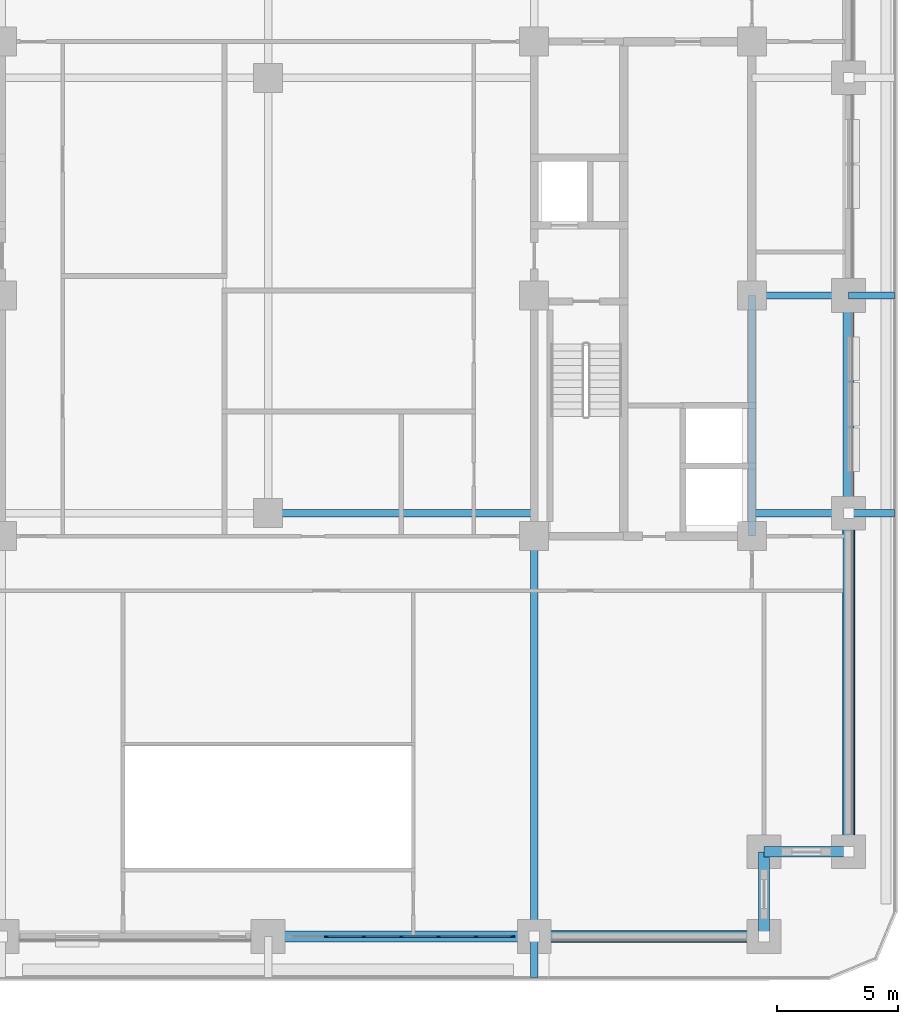
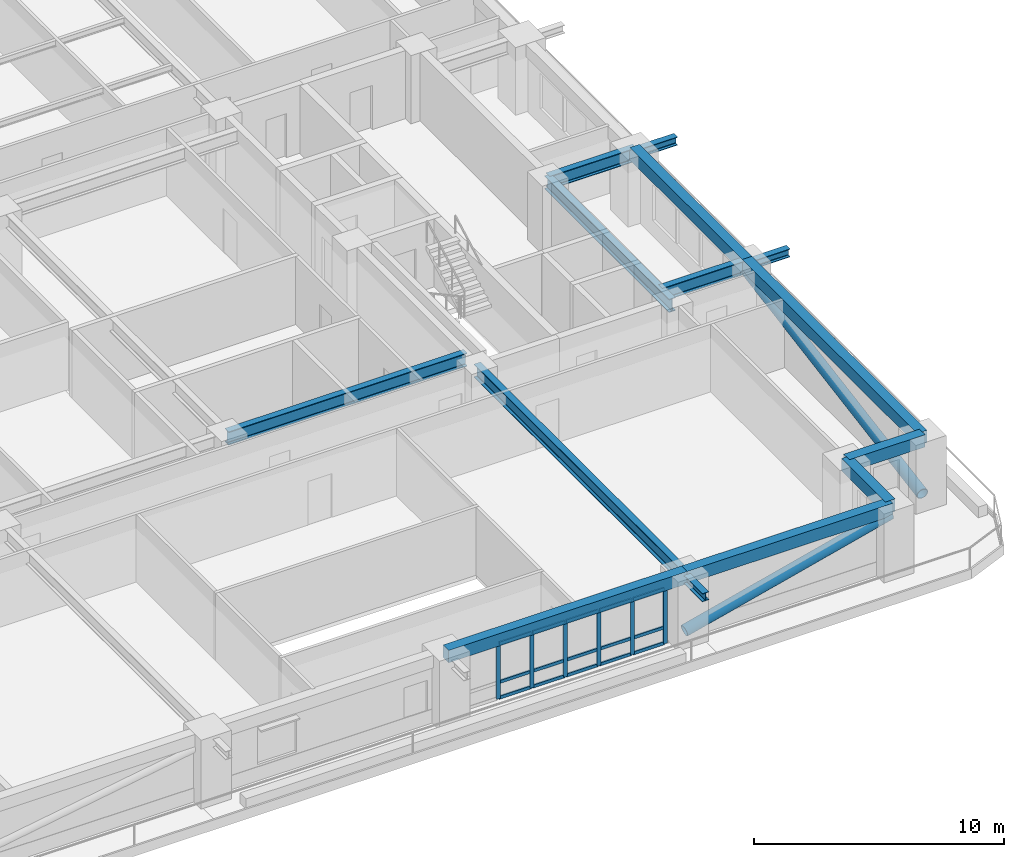
# One storey, part 4 of 20: 23 members, 14 beams, 1 element without a shape of its own.
"""IFC4 building model written with IfcOpenShell, lengths in metres."""

from ifc_helpers import new_model, si_unit, direction, frame, origin, origin_2d, place, context, subcontext, project, spatial, rectangle, hollow_circle, i_section, extrude, material, material_profile, profile_set, type_object, element, aggregate, save


model = new_model("IFC4")

# Units and contexts
model_context = context("Model", 3, precision=1e-05, world=origin(), true_north=direction((0.0, 1.0)))
body_context = subcontext(model_context, "Body", "Model", "MODEL_VIEW")
ifc_project = project(units=[si_unit("LENGTHUNIT", "METRE"), si_unit("AREAUNIT", "SQUARE_METRE"), si_unit("VOLUMEUNIT", "CUBIC_METRE"), si_unit("PLANEANGLEUNIT", "RADIAN"), si_unit("MASSUNIT", "GRAM", prefix="KILO")], contexts=[model_context])

# Site, building, storey
site_placement = place(None, origin())
site = spatial("IfcSite", under=ifc_project, at=site_placement, CompositionType="ELEMENT")
building_placement = place(site_placement, origin())
building = spatial("IfcBuilding", under=site, at=building_placement, Name="Zulmaris Gate Convention Tower", CompositionType="ELEMENT")
storey_placement = place(building_placement, frame((0.0, 0.0, 75.0400390625)))
storey = spatial("IfcBuildingStorey", under=building, at=storey_placement, Name="L18", CompositionType="ELEMENT", Elevation=75.0400390625)

# Beams
ifc_material_1 = material(Name="Steel S355", Category="steel")
ifc_material_profile_1 = material_profile(ifc_material_1, i_section(OverallWidth=0.300048828125, OverallDepth=0.39990234375, WebThickness=0.013427734375, FlangeThickness=0.02392578125, FilletRadius=0.027099609375, at=origin_2d()), Name="HEB 400")
ifc_profile_set_1 = profile_set([ifc_material_profile_1], Name="Steel S355")
beam_type_1 = type_object("IfcBeamType", Name="BM-HEB400", PredefinedType="BEAM", material=ifc_profile_set_1)
beam_1_placement = place(storey_placement, frame((11.0, -28.199951171875, 2.97998046875), z_axis=(0.0, 1.0, 0.0), x_axis=(-1.0, 0.0, 0.0)))
element("IfcBeam", 1, at=beam_1_placement, inside=storey, type_object=beam_type_1, Name="L18 Beam TBRK-L18-S-+11", PredefinedType="BEAM", context=body_context, shape_type="SweptSolid", body=[
    extrude(i_section(OverallWidth=0.300048828125, OverallDepth=0.39990234375, WebThickness=0.013427734375, FlangeThickness=0.02392578125, FilletRadius=0.027099609375, at=origin_2d()), origin(), (0.0, 0.0, 1.0), 1.699951171875),
])
for number, where, z_axis, x_axis, name in (
    (2, (24.0, -9.0, 2.97998046875), (1.0, 0.0, 0.0), (0.0, 1.0, 0.0), "L18 Beam TBRK-L18-E--9"),
    (3, (24.0, 0.0, 2.97998046875), (1.0, 0.0, 0.0), (0.0, 1.0, 0.0), "L18 Beam TBRK-L18-E-+0"),
):
    element("IfcBeam", number, at=place(storey_placement, frame(where, z_axis=z_axis, x_axis=x_axis)), inside=storey, type_object=beam_type_1, Name=name, PredefinedType="BEAM", context=body_context, shape_type="SweptSolid", body=[
        extrude(i_section(OverallWidth=0.300048828125, OverallDepth=0.39990234375, WebThickness=0.013427734375, FlangeThickness=0.02392578125, FilletRadius=0.027099609375, at=origin_2d()), origin(), (0.0, 0.0, 1.0), 1.89990234375),
    ])
ifc_material_profile_2 = material_profile(ifc_material_1, i_section(OverallWidth=0.300048828125, OverallDepth=0.64990234375, WebThickness=0.01611328125, FlangeThickness=0.031005859375, FilletRadius=0.027099609375, at=origin_2d()), Name="HEB 650")
ifc_profile_set_2 = profile_set([ifc_material_profile_2], Name="Steel S355")
beam_type_2 = type_object("IfcBeamType", Name="BM-HEB650", PredefinedType="BEAM", material=ifc_profile_set_2)
beam_2_placement = place(storey_placement, frame((0.0, -9.0, 2.992919921875), z_axis=(1.0, 0.0, 0.0), x_axis=(0.0, 1.0, 0.0)))
element("IfcBeam", 4, at=beam_2_placement, inside=storey, type_object=beam_type_2, Name="L18 Beam BM-L18-G02", PredefinedType="BEAM", context=body_context, shape_type="SweptSolid", body=[
    extrude(i_section(OverallWidth=0.300048828125, OverallDepth=0.64990234375, WebThickness=0.01611328125, FlangeThickness=0.031005859375, FilletRadius=0.027099609375, at=origin_2d()), origin(), (0.0, 0.0, 1.0), 11.0),
])
beam_3_placement = place(storey_placement, frame((11.0, -26.5, 2.992919921875), z_axis=(0.0, 1.0, 0.0), x_axis=(-1.0, 0.0, 0.0)))
element("IfcBeam", 5, at=beam_3_placement, inside=storey, type_object=beam_type_2, Name="L18 Beam BM-L18-G10", PredefinedType="BEAM", context=body_context, shape_type="SweptSolid", body=[
    extrude(i_section(OverallWidth=0.300048828125, OverallDepth=0.64990234375, WebThickness=0.01611328125, FlangeThickness=0.031005859375, FilletRadius=0.027099609375, at=origin_2d()), origin(), (0.0, 0.0, 1.0), 16.550048828125),
])
for number, where, z_axis, x_axis, name in (
    (6, (20.0, -9.0, 2.992919921875), (1.0, 0.0, 0.0), (0.0, 1.0, 0.0), "L18 Beam BM-L18-G19"),
    (7, (20.0, 0.0, 2.992919921875), (1.0, 0.0, 0.0), (0.0, 1.0, 0.0), "L18 Beam BM-L18-G20"),
):
    element("IfcBeam", number, at=place(storey_placement, frame(where, z_axis=z_axis, x_axis=x_axis)), inside=storey, type_object=beam_type_2, Name=name, PredefinedType="BEAM", context=body_context, shape_type="SweptSolid", body=[
        extrude(i_section(OverallWidth=0.300048828125, OverallDepth=0.64990234375, WebThickness=0.01611328125, FlangeThickness=0.031005859375, FilletRadius=0.027099609375, at=origin_2d()), origin(), (0.0, 0.0, 1.0), 4.0),
    ])
beam_4_placement = place(storey_placement, frame((20.0, -9.949951171875, 2.992919921875), z_axis=(0.0, 1.0, 0.0), x_axis=(-1.0, 0.0, 0.0)))
element("IfcBeam", 8, at=beam_4_placement, inside=storey, type_object=beam_type_2, Name="L18 Beam BM-L18-G28", PredefinedType="BEAM", context=body_context, shape_type="SweptSolid", body=[
    extrude(i_section(OverallWidth=0.300048828125, OverallDepth=0.64990234375, WebThickness=0.01611328125, FlangeThickness=0.031005859375, FilletRadius=0.027099609375, at=origin_2d()), origin(), (0.0, 0.0, 1.0), 9.949951171875),
])
ifc_material_2 = material(Name="Precast concrete C50/60", Category="concrete")
ifc_material_profile_3 = material_profile(ifc_material_2, rectangle(XDim=0.449951171875, YDim=0.60009765625, at=origin_2d()), Name="RC SPANDREL 450x600")
ifc_profile_set_3 = profile_set([ifc_material_profile_3], Name="Precast concrete C50/60")
beam_type_3 = type_object("IfcBeamType", Name="BM-SP450x600", PredefinedType="SPANDREL", material=ifc_profile_set_3)
beam_5_placement = place(storey_placement, frame((0.0, -26.5, 3.019775390625), z_axis=(1.0, 0.0, 0.0), x_axis=(0.0, 1.0, 0.0)))
element("IfcBeam", 9, at=beam_5_placement, inside=storey, type_object=beam_type_3, Name="L18 Spandrel SP-L18-03", PredefinedType="SPANDREL", context=body_context, shape_type="SweptSolid", body=[
    extrude(rectangle(XDim=0.449951171875, YDim=0.60009765625, at=origin_2d()), origin(), (0.0, 0.0, 1.0), 11.0),
])
beam_6_placement = place(storey_placement, frame((11.0, -26.5, 3.019775390625), z_axis=(1.0, 0.0, 0.0), x_axis=(0.0, 1.0, 0.0)))
element("IfcBeam", 10, at=beam_6_placement, inside=storey, type_object=beam_type_3, Name="L18 Spandrel SP-L18-04", PredefinedType="SPANDREL", context=body_context, shape_type="SweptSolid", body=[
    extrude(rectangle(XDim=0.449951171875, YDim=0.60009765625, at=origin_2d()), origin(), (0.0, 0.0, 1.0), 9.5),
])
for number, where, z_axis, x_axis, name in (
    (11, (20.5, -26.5, 3.019775390625), (0.0, 1.0, 0.0), (-1.0, 0.0, 0.0), "L18 Spandrel SP-L18-05"),
    (12, (20.5, -23.0, 3.019775390625), (1.0, 0.0, 0.0), (0.0, 1.0, 0.0), "L18 Spandrel SP-L18-06"),
):
    element("IfcBeam", number, at=place(storey_placement, frame(where, z_axis=z_axis, x_axis=x_axis)), inside=storey, type_object=beam_type_3, Name=name, PredefinedType="SPANDREL", context=body_context, shape_type="SweptSolid", body=[
        extrude(rectangle(XDim=0.449951171875, YDim=0.60009765625, at=origin_2d()), origin(), (0.0, 0.0, 1.0), 3.5),
    ])
beam_7_placement = place(storey_placement, frame((24.0, -23.0, 3.019775390625), z_axis=(0.0, 1.0, 0.0), x_axis=(-1.0, 0.0, 0.0)))
element("IfcBeam", 13, at=beam_7_placement, inside=storey, type_object=beam_type_3, Name="L18 Spandrel SP-L18-07", PredefinedType="SPANDREL", context=body_context, shape_type="SweptSolid", body=[
    extrude(rectangle(XDim=0.449951171875, YDim=0.60009765625, at=origin_2d()), origin(), (0.0, 0.0, 1.0), 14.0),
])
beam_8_placement = place(storey_placement, frame((24.0, -9.0, 3.019775390625), z_axis=(0.0, 1.0, 0.0), x_axis=(-1.0, 0.0, 0.0)))
element("IfcBeam", 14, at=beam_8_placement, inside=storey, type_object=beam_type_3, Name="L18 Spandrel SP-L18-08", PredefinedType="SPANDREL", context=body_context, shape_type="SweptSolid", body=[
    extrude(rectangle(XDim=0.449951171875, YDim=0.60009765625, at=origin_2d()), origin(), (0.0, 0.0, 1.0), 9.0),
])

# Members
ifc_material_3 = material(Name="Steel S460", Category="steel")
ifc_material_profile_4 = material_profile(ifc_material_3, hollow_circle(Radius=0.25390625, WallThickness=0.02490234375, at=origin_2d()), Name="CHS 508x25")
ifc_profile_set_4 = profile_set([ifc_material_profile_4], Name="Steel S460")
member_type_1 = type_object("IfcMemberType", Name="BR-CHS508", PredefinedType="BRACE", material=ifc_profile_set_4)
member_1_placement = place(storey_placement, frame((24.0, -23.0, 0.300048828125), z_axis=(0.0, 0.985623399742, 0.168957136221), x_axis=(-1.0, 0.0, 0.0)))
element("IfcMember", 15, at=member_1_placement, inside=storey, type_object=member_type_1, Name="L18 Perimeter Tube Diagonal SE-E", PredefinedType="BRACE", context=body_context, shape_type="SweptSolid", body=[
    extrude(hollow_circle(Radius=0.25390625, WallThickness=0.02490234375, at=origin_2d()), origin(), (0.0, 0.0, 1.0), 14.2041015625),
])
member_2_placement = place(storey_placement, frame((11.0, -26.5, 0.300048828125), z_axis=(0.969541561087, 0.0, 0.244926848928), x_axis=(0.0, 1.0, 0.0)))
element("IfcMember", 16, at=member_2_placement, inside=storey, type_object=member_type_1, Name="L18 Perimeter Tube Diagonal SE-S", PredefinedType="BRACE", context=body_context, shape_type="SweptSolid", body=[
    extrude(hollow_circle(Radius=0.25390625, WallThickness=0.02490234375, at=origin_2d()), origin(), (0.0, 0.0, 1.0), 9.79833984375),
])

# Curtain wall, members
ifc_material_4 = material(Name="Anodised Aluminium", Category="aluminium")
curtain_wall_type = type_object("IfcCurtainWallType", Name="CW-05", PredefinedType="NOTDEFINED", material=ifc_material_4)
curtain_wall_placement = place(storey_placement, origin())
curtain_wall = element("IfcCurtainWall", 17, at=curtain_wall_placement, inside=storey, type_object=curtain_wall_type, Name="CW-05 CW05-L18-S-2_0", PredefinedType="NOTDEFINED")
ifc_material_profile_5 = material_profile(ifc_material_4, rectangle(XDim=0.074951171875, YDim=0.179931640625, at=origin_2d()), Name="ALU MULLION 75x180")
ifc_profile_set_5 = profile_set([ifc_material_profile_5], Name="Anodised Aluminium")
member_type_2 = type_object("IfcMemberType", Name="CW-05-MULL", PredefinedType="MULLION", material=ifc_profile_set_5)
member_3_placement = place(storey_placement, frame((2.40673828125, -26.5, 0.0), z_axis=(0.0, 0.0, 1.0), x_axis=(0.0, 1.0, 0.0)))
member_3 = element("IfcMember", 18, at=member_3_placement, type_object=member_type_2, Name="CW-05 mullion 2", PredefinedType="MULLION", context=body_context, shape_type="SweptSolid", body=[
    extrude(rectangle(XDim=0.074951171875, YDim=0.179931640625, at=origin_2d()), origin(), (0.0, 0.0, 1.0), 2.7119140625),
])
member_4_placement = place(storey_placement, frame((3.953369140625, -26.5, 0.0), z_axis=(0.0, 0.0, 1.0), x_axis=(0.0, 1.0, 0.0)))
member_4 = element("IfcMember", 19, at=member_4_placement, type_object=member_type_2, Name="CW-05 mullion 3", PredefinedType="MULLION", context=body_context, shape_type="SweptSolid", body=[
    extrude(rectangle(XDim=0.074951171875, YDim=0.179931640625, at=origin_2d()), origin(), (0.0, 0.0, 1.0), 2.7119140625),
])
member_5_placement = place(storey_placement, frame((5.5, -26.5, 0.0), z_axis=(0.0, 0.0, 1.0), x_axis=(0.0, 1.0, 0.0)))
member_5 = element("IfcMember", 20, at=member_5_placement, type_object=member_type_2, Name="CW-05 mullion 4", PredefinedType="MULLION", context=body_context, shape_type="SweptSolid", body=[
    extrude(rectangle(XDim=0.074951171875, YDim=0.179931640625, at=origin_2d()), origin(), (0.0, 0.0, 1.0), 2.7119140625),
])
member_6_placement = place(storey_placement, frame((7.046630859375, -26.5, 0.0), z_axis=(0.0, 0.0, 1.0), x_axis=(0.0, 1.0, 0.0)))
member_6 = element("IfcMember", 21, at=member_6_placement, type_object=member_type_2, Name="CW-05 mullion 5", PredefinedType="MULLION", context=body_context, shape_type="SweptSolid", body=[
    extrude(rectangle(XDim=0.074951171875, YDim=0.179931640625, at=origin_2d()), origin(), (0.0, 0.0, 1.0), 2.7119140625),
])
member_7_placement = place(storey_placement, frame((8.59326171875, -26.5, 0.0), z_axis=(0.0, 0.0, 1.0), x_axis=(0.0, 1.0, 0.0)))
member_7 = element("IfcMember", 22, at=member_7_placement, type_object=member_type_2, Name="CW-05 mullion 6", PredefinedType="MULLION", context=body_context, shape_type="SweptSolid", body=[
    extrude(rectangle(XDim=0.074951171875, YDim=0.179931640625, at=origin_2d()), origin(), (0.0, 0.0, 1.0), 2.7119140625),
])
member_8_placement = place(storey_placement, frame((10.1025390625, -26.5, 0.0), z_axis=(0.0, 0.0, 1.0), x_axis=(0.0, 1.0, 0.0)))
member_8 = element("IfcMember", 23, at=member_8_placement, type_object=member_type_2, Name="CW-05 mullion 7", PredefinedType="MULLION", context=body_context, shape_type="SweptSolid", body=[
    extrude(rectangle(XDim=0.074951171875, YDim=0.179931640625, at=origin_2d()), origin(), (0.0, 0.0, 1.0), 2.7119140625),
])
ifc_material_profile_6 = material_profile(ifc_material_4, rectangle(XDim=0.074951171875, YDim=0.14990234375, at=origin_2d()), Name="ALU TRANSOM 75x150")
ifc_profile_set_6 = profile_set([ifc_material_profile_6], Name="Anodised Aluminium")
member_type_3 = type_object("IfcMemberType", Name="CW-05-TRAN", PredefinedType="USERDEFINED", material=ifc_profile_set_6)
member_9_placement = place(storey_placement, frame((2.444091796875, -26.5, 0.037353515625), z_axis=(1.0, 0.0, 0.0), x_axis=(0.0, 1.0, 0.0)))
member_9 = element("IfcMember", 24, at=member_9_placement, type_object=member_type_3, Name="CW-05 transom 2.1", ObjectType="TRANSOM", PredefinedType="USERDEFINED", context=body_context, shape_type="SweptSolid", body=[
    extrude(rectangle(XDim=0.074951171875, YDim=0.14990234375, at=origin_2d()), origin(), (0.0, 0.0, 1.0), 1.4716796875),
])
member_10_placement = place(storey_placement, frame((2.444091796875, -26.5, 0.800048828125), z_axis=(1.0, 0.0, 0.0), x_axis=(0.0, 1.0, 0.0)))
member_10 = element("IfcMember", 25, at=member_10_placement, type_object=member_type_3, Name="CW-05 transom 2.2", ObjectType="TRANSOM", PredefinedType="USERDEFINED", context=body_context, shape_type="SweptSolid", body=[
    extrude(rectangle(XDim=0.074951171875, YDim=0.14990234375, at=origin_2d()), origin(), (0.0, 0.0, 1.0), 1.4716796875),
])
member_11_placement = place(storey_placement, frame((2.444091796875, -26.5, 2.67431640625), z_axis=(1.0, 0.0, 0.0), x_axis=(0.0, 1.0, 0.0)))
member_11 = element("IfcMember", 26, at=member_11_placement, type_object=member_type_3, Name="CW-05 transom 2.3", ObjectType="TRANSOM", PredefinedType="USERDEFINED", context=body_context, shape_type="SweptSolid", body=[
    extrude(rectangle(XDim=0.074951171875, YDim=0.14990234375, at=origin_2d()), origin(), (0.0, 0.0, 1.0), 1.4716796875),
])
member_12_placement = place(storey_placement, frame((3.99072265625, -26.5, 0.037353515625), z_axis=(1.0, 0.0, 0.0), x_axis=(0.0, 1.0, 0.0)))
member_12 = element("IfcMember", 27, at=member_12_placement, type_object=member_type_3, Name="CW-05 transom 3.1", ObjectType="TRANSOM", PredefinedType="USERDEFINED", context=body_context, shape_type="SweptSolid", body=[
    extrude(rectangle(XDim=0.074951171875, YDim=0.14990234375, at=origin_2d()), origin(), (0.0, 0.0, 1.0), 1.4716796875),
])
member_13_placement = place(storey_placement, frame((3.99072265625, -26.5, 0.800048828125), z_axis=(1.0, 0.0, 0.0), x_axis=(0.0, 1.0, 0.0)))
member_13 = element("IfcMember", 28, at=member_13_placement, type_object=member_type_3, Name="CW-05 transom 3.2", ObjectType="TRANSOM", PredefinedType="USERDEFINED", context=body_context, shape_type="SweptSolid", body=[
    extrude(rectangle(XDim=0.074951171875, YDim=0.14990234375, at=origin_2d()), origin(), (0.0, 0.0, 1.0), 1.4716796875),
])
member_14_placement = place(storey_placement, frame((3.99072265625, -26.5, 2.67431640625), z_axis=(1.0, 0.0, 0.0), x_axis=(0.0, 1.0, 0.0)))
member_14 = element("IfcMember", 29, at=member_14_placement, type_object=member_type_3, Name="CW-05 transom 3.3", ObjectType="TRANSOM", PredefinedType="USERDEFINED", context=body_context, shape_type="SweptSolid", body=[
    extrude(rectangle(XDim=0.074951171875, YDim=0.14990234375, at=origin_2d()), origin(), (0.0, 0.0, 1.0), 1.4716796875),
])
member_15_placement = place(storey_placement, frame((5.53759765625, -26.5, 0.037353515625), z_axis=(1.0, 0.0, 0.0), x_axis=(0.0, 1.0, 0.0)))
member_15 = element("IfcMember", 30, at=member_15_placement, type_object=member_type_3, Name="CW-05 transom 4.1", ObjectType="TRANSOM", PredefinedType="USERDEFINED", context=body_context, shape_type="SweptSolid", body=[
    extrude(rectangle(XDim=0.074951171875, YDim=0.14990234375, at=origin_2d()), origin(), (0.0, 0.0, 1.0), 1.4716796875),
])
member_16_placement = place(storey_placement, frame((5.53759765625, -26.5, 0.800048828125), z_axis=(1.0, 0.0, 0.0), x_axis=(0.0, 1.0, 0.0)))
member_16 = element("IfcMember", 31, at=member_16_placement, type_object=member_type_3, Name="CW-05 transom 4.2", ObjectType="TRANSOM", PredefinedType="USERDEFINED", context=body_context, shape_type="SweptSolid", body=[
    extrude(rectangle(XDim=0.074951171875, YDim=0.14990234375, at=origin_2d()), origin(), (0.0, 0.0, 1.0), 1.4716796875),
])
member_17_placement = place(storey_placement, frame((5.53759765625, -26.5, 2.67431640625), z_axis=(1.0, 0.0, 0.0), x_axis=(0.0, 1.0, 0.0)))
member_17 = element("IfcMember", 32, at=member_17_placement, type_object=member_type_3, Name="CW-05 transom 4.3", ObjectType="TRANSOM", PredefinedType="USERDEFINED", context=body_context, shape_type="SweptSolid", body=[
    extrude(rectangle(XDim=0.074951171875, YDim=0.14990234375, at=origin_2d()), origin(), (0.0, 0.0, 1.0), 1.4716796875),
])
member_18_placement = place(storey_placement, frame((7.084228515625, -26.5, 0.037353515625), z_axis=(1.0, 0.0, 0.0), x_axis=(0.0, 1.0, 0.0)))
member_18 = element("IfcMember", 33, at=member_18_placement, type_object=member_type_3, Name="CW-05 transom 5.1", ObjectType="TRANSOM", PredefinedType="USERDEFINED", context=body_context, shape_type="SweptSolid", body=[
    extrude(rectangle(XDim=0.074951171875, YDim=0.14990234375, at=origin_2d()), origin(), (0.0, 0.0, 1.0), 1.4716796875),
])
member_19_placement = place(storey_placement, frame((7.084228515625, -26.5, 0.800048828125), z_axis=(1.0, 0.0, 0.0), x_axis=(0.0, 1.0, 0.0)))
member_19 = element("IfcMember", 34, at=member_19_placement, type_object=member_type_3, Name="CW-05 transom 5.2", ObjectType="TRANSOM", PredefinedType="USERDEFINED", context=body_context, shape_type="SweptSolid", body=[
    extrude(rectangle(XDim=0.074951171875, YDim=0.14990234375, at=origin_2d()), origin(), (0.0, 0.0, 1.0), 1.4716796875),
])
member_20_placement = place(storey_placement, frame((7.084228515625, -26.5, 2.67431640625), z_axis=(1.0, 0.0, 0.0), x_axis=(0.0, 1.0, 0.0)))
member_20 = element("IfcMember", 35, at=member_20_placement, type_object=member_type_3, Name="CW-05 transom 5.3", ObjectType="TRANSOM", PredefinedType="USERDEFINED", context=body_context, shape_type="SweptSolid", body=[
    extrude(rectangle(XDim=0.074951171875, YDim=0.14990234375, at=origin_2d()), origin(), (0.0, 0.0, 1.0), 1.4716796875),
])
member_21_placement = place(storey_placement, frame((8.630859375, -26.5, 0.037353515625), z_axis=(1.0, 0.0, 0.0), x_axis=(0.0, 1.0, 0.0)))
member_21 = element("IfcMember", 36, at=member_21_placement, type_object=member_type_3, Name="CW-05 transom 6.1", ObjectType="TRANSOM", PredefinedType="USERDEFINED", context=body_context, shape_type="SweptSolid", body=[
    extrude(rectangle(XDim=0.074951171875, YDim=0.14990234375, at=origin_2d()), origin(), (0.0, 0.0, 1.0), 1.43408203125),
])
member_22_placement = place(storey_placement, frame((8.630859375, -26.5, 0.800048828125), z_axis=(1.0, 0.0, 0.0), x_axis=(0.0, 1.0, 0.0)))
member_22 = element("IfcMember", 37, at=member_22_placement, type_object=member_type_3, Name="CW-05 transom 6.2", ObjectType="TRANSOM", PredefinedType="USERDEFINED", context=body_context, shape_type="SweptSolid", body=[
    extrude(rectangle(XDim=0.074951171875, YDim=0.14990234375, at=origin_2d()), origin(), (0.0, 0.0, 1.0), 1.43408203125),
])
member_23_placement = place(storey_placement, frame((8.630859375, -26.5, 2.67431640625), z_axis=(1.0, 0.0, 0.0), x_axis=(0.0, 1.0, 0.0)))
member_23 = element("IfcMember", 38, at=member_23_placement, type_object=member_type_3, Name="CW-05 transom 6.3", ObjectType="TRANSOM", PredefinedType="USERDEFINED", context=body_context, shape_type="SweptSolid", body=[
    extrude(rectangle(XDim=0.074951171875, YDim=0.14990234375, at=origin_2d()), origin(), (0.0, 0.0, 1.0), 1.43408203125),
])
aggregate(curtain_wall, [member_3, member_4, member_5, member_6, member_7, member_8, member_9, member_10, member_11, member_12, member_13, member_14, member_15, member_16, member_17, member_18, member_19, member_20, member_21, member_22, member_23])

save(model, "model.ifc")
